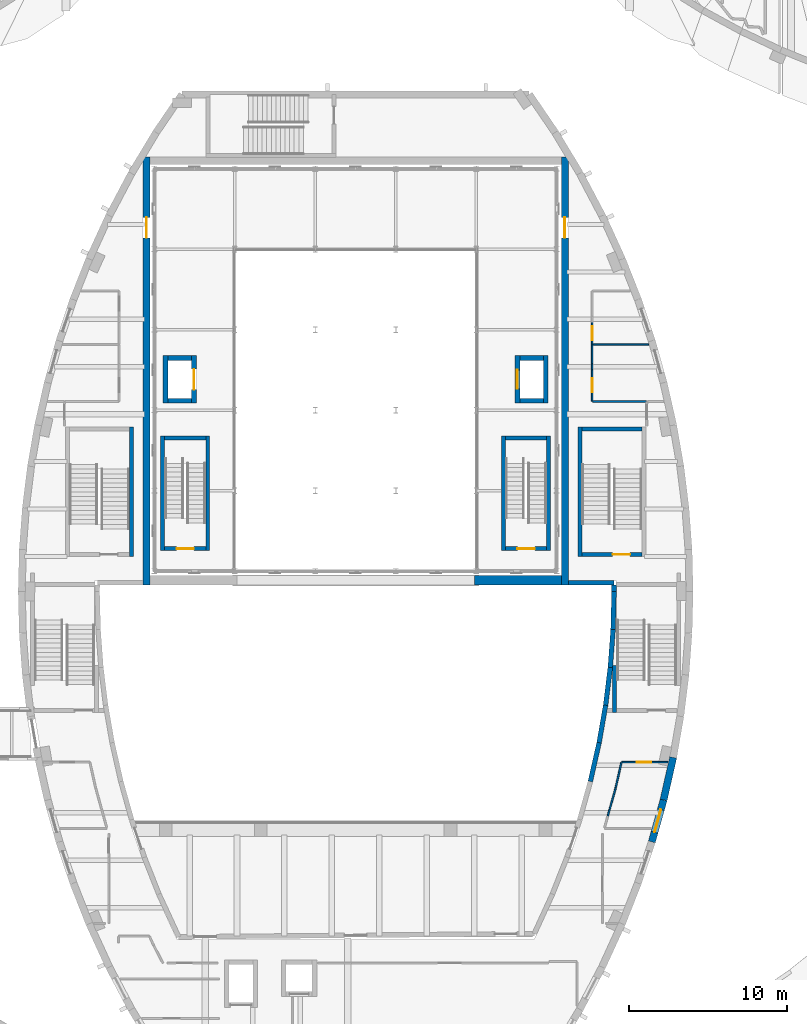
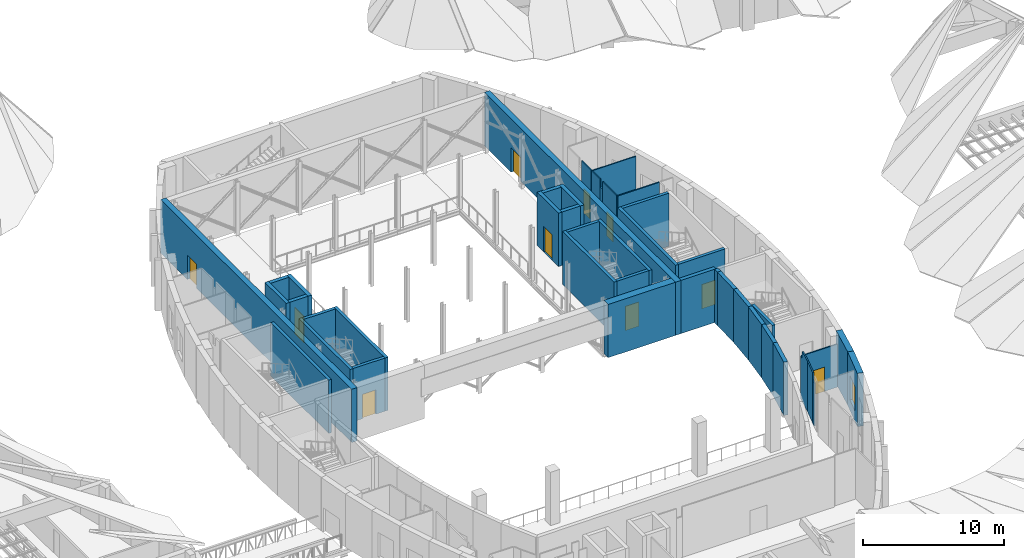
# One storey, part 36 of 56: 43 walls, 10 doors, 1 window, 11 openings.
"""IFC4 building model written with IfcOpenShell, lengths in metres."""

from ifc_helpers import new_model, si_unit, direction, frame, frame_2d, origin, place, context, subcontext, project, spatial, polyline, rectangle, outline, extrude, material, layer, layer_set, type_object, element, fill, save


model = new_model("IFC4")

# Units and contexts
model_context = context("Model", 3, precision=1e-05, world=origin(), true_north=direction((0.0, 1.0)))
body_context = subcontext(model_context, "Body", "Model", "MODEL_VIEW")
ifc_project = project(units=[si_unit("LENGTHUNIT", "METRE"), si_unit("AREAUNIT", "SQUARE_METRE"), si_unit("VOLUMEUNIT", "CUBIC_METRE"), si_unit("PLANEANGLEUNIT", "RADIAN"), si_unit("MASSUNIT", "GRAM", prefix="KILO")], contexts=[model_context])

# Site, building, storey
site_placement = place(None, origin())
site = spatial("IfcSite", under=ifc_project, at=site_placement, CompositionType="ELEMENT")
building_placement = place(site_placement, origin())
building = spatial("IfcBuilding", under=site, at=building_placement, Name="Tide Square Theatres", CompositionType="ELEMENT")
storey_placement = place(building_placement, frame((0.0, 0.0, 10.199951171875)))
storey = spatial("IfcBuildingStorey", under=building, at=storey_placement, Name="L02", CompositionType="ELEMENT", Elevation=10.199951171875)

# Wall, opening, door
ifc_material_1 = material(Name="Gypsum board on steel studs", Category="steel")
ifc_layer_1 = layer(ifc_material_1, 0.10009765625)
ifc_layer_set_1 = layer_set([ifc_layer_1], Name="Gypsum board on steel studs")
wall_type_1 = type_object("IfcWallType", Name="Partition 100 thick", PredefinedType="PARTITIONING", material=ifc_layer_set_1)
wall_1_placement = place(storey_placement, frame((98.949951171875, 67.023193359375, 0.0), z_axis=(0.0, 0.0, 1.0), x_axis=(0.0, 1.0, 0.0)))
wall_1 = element("IfcWall", 1, at=wall_1_placement, inside=storey, type_object=wall_type_1, Name="Partition", PredefinedType="PARTITIONING", context=body_context, shape_type="SweptSolid", body=[
    extrude(rectangle(XDim=1.996826171875, YDim=0.10009765625, at=frame_2d((0.99853515625, 0.0))), origin(), (0.0, 0.0, 1.0), 4.35009765625),
])
opening_1_placement = place(wall_1_placement, frame((0.548583984375, 0.0, 0.0)))
opening_1 = element("IfcOpeningElement", 2, at=opening_1_placement, cuts=wall_1, Name="Opening M02-15", PredefinedType="OPENING", context=body_context, shape_type="SweptSolid", body=[
    extrude(rectangle(XDim=0.89990234375, YDim=2.10009765625, at=frame_2d((0.449951171875, 1.050048828125))), frame((0.0, 0.06005859375, 0.0), z_axis=(0.0, -1.0, 0.0), x_axis=(1.0, 0.0, 0.0)), (0.0, 0.0, 1.0), 0.1201171875),
])
ifc_material_2 = material(Name="Hardwood timber", Category="wood")
door_type_1 = type_object("IfcDoorType", Name="Door 900 x 2100 single leaf", OperationType="NOTDEFINED", PredefinedType="DOOR", material=ifc_material_2)
door_1_placement = place(opening_1_placement, frame((0.89990234375, 0.0, 0.0), z_axis=(0.0, 0.0, 1.0), x_axis=(-1.0, 0.0, 0.0)))
door_1 = element("IfcDoor", 3, at=door_1_placement, inside=storey, type_object=door_type_1, Name="Sound Control Room door", OperationType="SINGLE_SWING_LEFT", OverallHeight=2.10009765625, OverallWidth=0.89990234375, PredefinedType="DOOR", context=body_context, shape_type="SweptSolid", body=[
    extrude(rectangle(XDim=0.89990234375, YDim=2.10009765625, at=frame_2d((0.449951171875, 1.050048828125))), frame((0.0, 0.02490234375, 0.0), z_axis=(0.0, -1.0, 0.0), x_axis=(1.0, 0.0, 0.0)), (0.0, 0.0, 1.0), 0.050048828125),
])
fill(opening_1, door_1)

# Walls
wall_2_placement = place(storey_placement, frame((98.949951171875, 69.02001953125, 0.0), z_axis=(0.0, 0.0, 1.0), x_axis=(0.0, 1.0, 0.0)))
element("IfcWall", 4, at=wall_2_placement, inside=storey, type_object=wall_type_1, Name="Partition", PredefinedType="PARTITIONING", context=body_context, shape_type="SweptSolid", body=[
    extrude(rectangle(XDim=0.35986328125, YDim=0.10009765625, at=frame_2d((0.179931640625, 0.0))), origin(), (0.0, 0.0, 1.0), 3.719970703125),
])
wall_3_placement = place(storey_placement, frame((98.949951171875, 69.3798828125, 0.0), z_axis=(0.0, 0.0, 1.0), x_axis=(0.0, 1.0, 0.0)))
element("IfcWall", 5, at=wall_3_placement, inside=storey, type_object=wall_type_1, Name="Partition", PredefinedType="PARTITIONING", context=body_context, shape_type="SweptSolid", body=[
    extrude(rectangle(XDim=1.197021484375, YDim=0.10009765625, at=frame_2d((0.5986328125, 0.0))), origin(), (0.0, 0.0, 1.0), 4.35009765625),
])

# Wall, opening, door
wall_4_placement = place(storey_placement, frame((98.949951171875, 70.623046875, 0.0), z_axis=(0.0, 0.0, 1.0), x_axis=(0.0, 1.0, 0.0)))
wall_4 = element("IfcWall", 6, at=wall_4_placement, inside=storey, type_object=wall_type_1, Name="Partition", PredefinedType="PARTITIONING", context=body_context, shape_type="SweptSolid", body=[
    extrude(rectangle(XDim=1.39697265625, YDim=0.10009765625, at=frame_2d((0.698486328125, 0.0))), origin(), (0.0, 0.0, 1.0), 4.35009765625),
])
opening_2_placement = place(wall_4_placement, frame((0.24853515625, 0.0, 0.0)))
opening_2 = element("IfcOpeningElement", 7, at=opening_2_placement, cuts=wall_4, Name="Opening M02-17", PredefinedType="OPENING", context=body_context, shape_type="SweptSolid", body=[
    extrude(rectangle(XDim=0.89990234375, YDim=2.10009765625, at=frame_2d((0.449951171875, 1.050048828125))), frame((0.0, 0.06005859375, 0.0), z_axis=(0.0, -1.0, 0.0), x_axis=(1.0, 0.0, 0.0)), (0.0, 0.0, 1.0), 0.1201171875),
])
door_2_placement = place(opening_2_placement, frame((0.89990234375, 0.0, 0.0), z_axis=(0.0, 0.0, 1.0), x_axis=(-1.0, 0.0, 0.0)))
door_2 = element("IfcDoor", 8, at=door_2_placement, inside=storey, type_object=door_type_1, Name="Lighting Control Room door", OperationType="SINGLE_SWING_RIGHT", OverallHeight=2.10009765625, OverallWidth=0.89990234375, PredefinedType="DOOR", context=body_context, shape_type="SweptSolid", body=[
    extrude(rectangle(XDim=0.89990234375, YDim=2.10009765625, at=frame_2d((0.449951171875, 1.050048828125))), frame((0.0, 0.02490234375, 0.0), z_axis=(0.0, -1.0, 0.0), x_axis=(1.0, 0.0, 0.0)), (0.0, 0.0, 1.0), 0.050048828125),
])
fill(opening_2, door_2)

# Walls
wall_5_placement = place(storey_placement, frame((98.97998046875, 70.60009765625, 0.0), z_axis=(0.0, 0.0, 1.0), x_axis=(1.0, 0.0, 0.0)))
element("IfcWall", 9, at=wall_5_placement, inside=storey, type_object=wall_type_1, Name="Partition", PredefinedType="PARTITIONING", context=body_context, shape_type="SweptSolid", body=[
    extrude(rectangle(XDim=3.537841796875, YDim=0.10009765625, at=frame_2d((1.76904296875, 0.0))), origin(), (0.0, 0.0, 1.0), 4.35009765625),
])
wall_6_placement = place(storey_placement, frame((102.360107421875, 67.0, 0.0), z_axis=(0.0, 0.0, 1.0), x_axis=(-1.0, 0.0, 0.0)))
element("IfcWall", 10, at=wall_6_placement, inside=storey, type_object=wall_type_1, Name="Partition", PredefinedType="PARTITIONING", context=body_context, shape_type="SweptSolid", body=[
    extrude(rectangle(XDim=3.376953125, YDim=0.10009765625, at=frame_2d((1.6884765625, 0.0))), origin(), (0.0, 0.0, 1.0), 4.35009765625),
])
wall_7_placement = place(storey_placement, frame((99.940185546875, 40.80615234375, 0.0), z_axis=(0.0, 0.0, 1.0), x_axis=(0.26983234105, 0.962907320423, 0.0)))
element("IfcWall", 11, at=wall_7_placement, inside=storey, type_object=wall_type_1, Name="Partition", PredefinedType="PARTITIONING", context=body_context, shape_type="SweptSolid", body=[
    extrude(rectangle(XDim=0.402587890625, YDim=0.10009765625, at=frame_2d((0.201171875, 0.0))), origin(), (0.0, 0.0, 1.0), 3.719970703125),
])
wall_8_placement = place(storey_placement, frame((100.048828125, 41.19384765625, 0.0), z_axis=(0.0, 0.0, 1.0), x_axis=(0.269963692325, 0.962870502626, 0.0)))
element("IfcWall", 12, at=wall_8_placement, inside=storey, type_object=wall_type_1, Name="Partition", PredefinedType="PARTITIONING", context=body_context, shape_type="SweptSolid", body=[
    extrude(rectangle(XDim=1.43798828125, YDim=0.10009765625, at=frame_2d((0.718994140625, 0.0))), origin(), (0.0, 0.0, 1.0), 4.35009765625),
])
wall_9_placement = place(storey_placement, frame((100.43994140625, 42.590576171875, 0.0), z_axis=(0.0, 0.0, 1.0), x_axis=(0.220357953529, 0.975419075227, 0.0)))
element("IfcWall", 13, at=wall_9_placement, inside=storey, type_object=wall_type_1, Name="Partition", PredefinedType="PARTITIONING", context=body_context, shape_type="SweptSolid", body=[
    extrude(outline(polyline([(0.0, 0.0), (1.620849609375, 0.0), (1.631103515625, 4.35009765625), (1.631103515625, 3.719970703125), (1.2490234375, 3.719970703125), (1.2470703125, 4.35009765625), (0.0, 4.35009765625), (0.0, 0.0)])), frame((0.0, 0.050048828125, 0.0), z_axis=(0.0, -1.0, 0.0), x_axis=(1.0, 0.0, 0.0)), (0.0, 0.0, 1.0), 0.10009765625),
])

# Wall, opening, door
wall_10_placement = place(storey_placement, frame((100.822509765625, 44.199951171875, 0.0), z_axis=(0.0, 0.0, 1.0), x_axis=(1.0, 0.0, 0.0)))
wall_10 = element("IfcWall", 14, at=wall_10_placement, inside=storey, type_object=wall_type_1, Name="Partition", PredefinedType="PARTITIONING", context=body_context, shape_type="SweptSolid", body=[
    extrude(rectangle(XDim=2.9140625, YDim=0.10009765625, at=frame_2d((1.45703125, 0.0))), origin(), (0.0, 0.0, 1.0), 3.719970703125),
])
opening_3_placement = place(wall_10_placement, frame((0.95703125, 0.0, 0.0)))
opening_3 = element("IfcOpeningElement", 15, at=opening_3_placement, cuts=wall_10, Name="Opening M02-13", PredefinedType="OPENING", context=body_context, shape_type="SweptSolid", body=[
    extrude(rectangle(XDim=0.89990234375, YDim=2.10009765625, at=frame_2d((0.449951171875, 1.050048828125))), frame((0.0, 0.06005859375, 0.0), z_axis=(0.0, -1.0, 0.0), x_axis=(1.0, 0.0, 0.0)), (0.0, 0.0, 1.0), 0.1201171875),
])
door_3_placement = place(opening_3_placement, frame((0.89990234375, 0.0, 0.0), z_axis=(0.0, 0.0, 1.0), x_axis=(-1.0, 0.0, 0.0)))
door_3 = element("IfcDoor", 16, at=door_3_placement, inside=storey, type_object=door_type_1, Name="Chorus Dressing Room 04 door", OperationType="SINGLE_SWING_LEFT", OverallHeight=2.10009765625, OverallWidth=0.89990234375, PredefinedType="DOOR", context=body_context, shape_type="SweptSolid", body=[
    extrude(rectangle(XDim=0.89990234375, YDim=2.10009765625, at=frame_2d((0.449951171875, 1.050048828125))), frame((0.0, 0.02490234375, 0.0), z_axis=(0.0, -1.0, 0.0), x_axis=(1.0, 0.0, 0.0)), (0.0, 0.0, 1.0), 0.050048828125),
])
fill(opening_3, door_3)

# Wall, opening, window
ifc_material_3 = material(Name="Concrete C40", Category="concrete")
ifc_layer_2 = layer(ifc_material_3, 0.449951171875)
ifc_layer_set_2 = layer_set([ifc_layer_2], Name="Concrete C40")
wall_type_2 = type_object("IfcWallType", Name="RC curved wall 450 thick", PredefinedType="SOLIDWALL", material=ifc_layer_set_2)
wall_11_placement = place(storey_placement, frame((102.724609375, 39.161865234375, 0.0), z_axis=(0.0, 0.0, 1.0), x_axis=(0.270008269196, 0.962858003324, 0.0)))
wall_11 = element("IfcWall", 17, at=wall_11_placement, inside=storey, type_object=wall_type_2, Name="Main Theatre perimeter wall", PredefinedType="SOLIDWALL", context=body_context, shape_type="SweptSolid", body=[
    extrude(rectangle(XDim=2.75244140625, YDim=0.449951171875, at=frame_2d((1.376220703125, 0.0))), origin(), (0.0, 0.0, 1.0), 4.60009765625),
])
opening_4_placement = place(wall_11_placement, frame((0.626220703125, 0.0, 0.89990234375)))
opening_4 = element("IfcOpeningElement", 18, at=opening_4_placement, cuts=wall_11, Name="Opening WN-01", PredefinedType="OPENING", context=body_context, shape_type="SweptSolid", body=[
    extrude(rectangle(XDim=1.5, YDim=2.10009765625, at=frame_2d((0.75, 1.050048828125))), frame((0.0, 0.23486328125, 0.0), z_axis=(0.0, -1.0, 0.0), x_axis=(1.0, 0.0, 0.0)), (0.0, 0.0, 1.0), 0.469970703125),
])
ifc_material_4 = material(Name="Aluminium with laminated glass", Category="aluminium")
window_type = type_object("IfcWindowType", Name="Window 1500 x 2100", PartitioningType="SINGLE_PANEL", PredefinedType="WINDOW", material=ifc_material_4)
window_placement = place(opening_4_placement, origin())
window = element("IfcWindow", 19, at=window_placement, inside=storey, type_object=window_type, Name="Main Theatre window", OverallHeight=2.10009765625, OverallWidth=1.5, PartitioningType="SINGLE_PANEL", PredefinedType="WINDOW", context=body_context, shape_type="SweptSolid", body=[
    extrude(rectangle(XDim=1.5, YDim=2.10009765625, at=frame_2d((0.75, 1.050048828125))), frame((0.0, 0.030029296875, 0.0), z_axis=(0.0, -1.0, 0.0), x_axis=(1.0, 0.0, 0.0)), (0.0, 0.0, 1.0), 0.06005859375),
])
fill(opening_4, window)

# Wall
wall_12_placement = place(storey_placement, frame((103.4677734375, 41.81201171875, 0.0), z_axis=(0.0, 0.0, 1.0), x_axis=(0.220347996563, 0.975421324562, 0.0)))
element("IfcWall", 20, at=wall_12_placement, inside=storey, type_object=wall_type_2, Name="Main Theatre perimeter wall", PredefinedType="SOLIDWALL", context=body_context, shape_type="SweptSolid", body=[
    extrude(rectangle(XDim=2.752197265625, YDim=0.449951171875, at=frame_2d((1.3759765625, 0.0))), origin(), (0.0, 0.0, 1.0), 4.60009765625),
])

# Wall, opening, door
wall_13_placement = place(storey_placement, frame((70.77490234375, 55.39990234375, 0.0), z_axis=(0.0, 0.0, 1.0), x_axis=(0.0, 1.0, 0.0)))
wall_13 = element("IfcWall", 21, at=wall_13_placement, inside=storey, type_object=wall_type_2, Name="Stage house wall", PredefinedType="SOLIDWALL", context=body_context, shape_type="SweptSolid", body=[
    extrude(rectangle(XDim=27.050048828125, YDim=0.449951171875, at=frame_2d((13.52490234375, 0.0))), origin(), (0.0, 0.0, 1.0), 4.60009765625),
])
opening_5_placement = place(wall_13_placement, frame((21.949951171875, 0.0, 0.0)))
opening_5 = element("IfcOpeningElement", 22, at=opening_5_placement, cuts=wall_13, Name="Opening M02-25", PredefinedType="OPENING", context=body_context, shape_type="SweptSolid", body=[
    extrude(rectangle(XDim=1.300048828125, YDim=2.10009765625, at=frame_2d((0.64990234375, 1.050048828125))), frame((0.0, 0.23486328125, 0.0), z_axis=(0.0, -1.0, 0.0), x_axis=(1.0, 0.0, 0.0)), (0.0, 0.0, 1.0), 0.469970703125),
])
ifc_material_5 = material(Name="Hardwood timber", Category="wood")
door_type_2 = type_object("IfcDoorType", Name="Door 1300 x 2100 double leaf", OperationType="DOUBLE_DOOR_SINGLE_SWING", PredefinedType="DOOR", material=ifc_material_5)
door_4_placement = place(opening_5_placement, origin())
door_4 = element("IfcDoor", 23, at=door_4_placement, inside=storey, type_object=door_type_2, Name="Stage house side door", OperationType="DOUBLE_DOOR_SINGLE_SWING", OverallHeight=2.10009765625, OverallWidth=1.300048828125, PredefinedType="DOOR", context=body_context, shape_type="SweptSolid", body=[
    extrude(rectangle(XDim=1.300048828125, YDim=2.10009765625, at=frame_2d((0.64990234375, 1.050048828125))), frame((0.0, 0.02490234375, 0.0), z_axis=(0.0, -1.0, 0.0), x_axis=(1.0, 0.0, 0.0)), (0.0, 0.0, 1.0), 0.050048828125),
])
fill(opening_5, door_4)

wall_14_placement = place(storey_placement, frame((97.22509765625, 55.39990234375, 0.0), z_axis=(0.0, 0.0, 1.0), x_axis=(0.0, 1.0, 0.0)))
wall_14 = element("IfcWall", 24, at=wall_14_placement, inside=storey, type_object=wall_type_2, Name="Stage house wall", PredefinedType="SOLIDWALL", context=body_context, shape_type="SweptSolid", body=[
    extrude(rectangle(XDim=27.050048828125, YDim=0.449951171875, at=frame_2d((13.52490234375, 0.0))), origin(), (0.0, 0.0, 1.0), 4.60009765625),
])
opening_6_placement = place(wall_14_placement, frame((21.949951171875, 0.0, 0.0)))
opening_6 = element("IfcOpeningElement", 25, at=opening_6_placement, cuts=wall_14, Name="Opening M02-26", PredefinedType="OPENING", context=body_context, shape_type="SweptSolid", body=[
    extrude(rectangle(XDim=1.300048828125, YDim=2.10009765625, at=frame_2d((0.64990234375, 1.050048828125))), frame((0.0, 0.23486328125, 0.0), z_axis=(0.0, -1.0, 0.0), x_axis=(1.0, 0.0, 0.0)), (0.0, 0.0, 1.0), 0.469970703125),
])
door_5_placement = place(opening_6_placement, origin())
door_5 = element("IfcDoor", 26, at=door_5_placement, inside=storey, type_object=door_type_2, Name="Stage house side door", OperationType="DOUBLE_DOOR_SINGLE_SWING", OverallHeight=2.10009765625, OverallWidth=1.300048828125, PredefinedType="DOOR", context=body_context, shape_type="SweptSolid", body=[
    extrude(rectangle(XDim=1.300048828125, YDim=2.10009765625, at=frame_2d((0.64990234375, 1.050048828125))), frame((0.0, 0.02490234375, 0.0), z_axis=(0.0, -1.0, 0.0), x_axis=(1.0, 0.0, 0.0)), (0.0, 0.0, 1.0), 0.050048828125),
])
fill(opening_6, door_5)

# Walls
ifc_material_6 = material(Name="Concrete C40", Category="concrete")
ifc_layer_3 = layer(ifc_material_6, 0.25)
ifc_layer_set_3 = layer_set([ifc_layer_3], Name="Concrete C40")
wall_type_3 = type_object("IfcWallType", Name="RC shear wall 250 thick", PredefinedType="SHEAR", material=ifc_layer_set_3)
for number, where, z_axis, x_axis, name in (
    (27, (69.824951171875, 57.199951171875, 0.0), (0.0, 0.0, 1.0), (0.0, 1.0, 0.0), "Main Theatre West Stair shaft wall"),
    (28, (98.175048828125, 65.39990234375, 0.0), (0.0, 0.0, 1.0), (0.0, -1.0, 0.0), "Main Theatre East Stair shaft wall"),
):
    element("IfcWall", number, at=place(storey_placement, frame(where, z_axis=z_axis, x_axis=x_axis)), inside=storey, type_object=wall_type_3, Name=name, PredefinedType="SHEAR", context=body_context, shape_type="SweptSolid", body=[
        extrude(rectangle(XDim=8.199951171875, YDim=0.25, at=frame_2d((4.10009765625, 0.0))), origin(), (0.0, 0.0, 1.0), 4.60009765625),
    ])
wall_15_placement = place(storey_placement, frame((98.300048828125, 65.27490234375, 0.0), z_axis=(0.0, 0.0, 1.0), x_axis=(1.0, 0.0, 0.0)))
element("IfcWall", 29, at=wall_15_placement, inside=storey, type_object=wall_type_3, Name="Main Theatre East Stair shaft wall", PredefinedType="SHEAR", context=body_context, shape_type="SweptSolid", body=[
    extrude(rectangle(XDim=3.800048828125, YDim=0.25, at=frame_2d((1.89990234375, 0.0))), origin(), (0.0, 0.0, 1.0), 4.60009765625),
])

# Wall, opening, door
wall_16_placement = place(storey_placement, frame((102.10009765625, 57.324951171875, 0.0), z_axis=(0.0, 0.0, 1.0), x_axis=(-1.0, 0.0, 0.0)))
wall_16 = element("IfcWall", 30, at=wall_16_placement, inside=storey, type_object=wall_type_3, Name="Main Theatre East Stair shaft wall", PredefinedType="SHEAR", context=body_context, shape_type="SweptSolid", body=[
    extrude(rectangle(XDim=3.800048828125, YDim=0.25, at=frame_2d((1.89990234375, 0.0))), origin(), (0.0, 0.0, 1.0), 4.60009765625),
])
opening_7_placement = place(wall_16_placement, frame((0.75, 0.0, 0.0)))
opening_7 = element("IfcOpeningElement", 31, at=opening_7_placement, cuts=wall_16, Name="Opening M02-02", PredefinedType="OPENING", context=body_context, shape_type="SweptSolid", body=[
    extrude(rectangle(XDim=1.10009765625, YDim=2.10009765625, at=frame_2d((0.550048828125, 1.050048828125))), frame((0.0, 0.135009765625, 0.0), z_axis=(0.0, -1.0, 0.0), x_axis=(1.0, 0.0, 0.0)), (0.0, 0.0, 1.0), 0.27001953125),
])
ifc_material_7 = material(Name="Painted steel", Category="steel")
door_type_3 = type_object("IfcDoorType", Name="Door 1100 x 2100 single leaf", OperationType="NOTDEFINED", PredefinedType="DOOR", material=ifc_material_7)
door_6_placement = place(opening_7_placement, origin())
door_6 = element("IfcDoor", 32, at=door_6_placement, inside=storey, type_object=door_type_3, Name="Main Theatre East Stair stair door", OperationType="SINGLE_SWING_RIGHT", OverallHeight=2.10009765625, OverallWidth=1.10009765625, PredefinedType="DOOR", context=body_context, shape_type="SweptSolid", body=[
    extrude(rectangle(XDim=1.10009765625, YDim=2.10009765625, at=frame_2d((0.550048828125, 1.050048828125))), frame((0.0, 0.02490234375, 0.0), z_axis=(0.0, -1.0, 0.0), x_axis=(1.0, 0.0, 0.0)), (0.0, 0.0, 1.0), 0.050048828125),
])
fill(opening_7, door_6)

# Walls
wall_17_placement = place(storey_placement, frame((100.375, 50.318115234375, 0.0), z_axis=(0.0, 0.0, 1.0), x_axis=(0.0, -1.0, 0.0)))
element("IfcWall", 33, at=wall_17_placement, inside=storey, type_object=wall_type_3, Name="Main Theatre East Circle Stair shaft wall", PredefinedType="SHEAR", context=body_context, shape_type="SweptSolid", body=[
    extrude(rectangle(XDim=2.968017578125, YDim=0.25, at=frame_2d((1.48388671875, 0.0))), origin(), (0.0, 0.0, 1.0), 4.60009765625),
])
for number, where, z_axis, x_axis, name in (
    (34, (74.65087890625, 57.575927734375, 0.0), (0.0, 0.0, 1.0), (0.0, 1.0, 0.0), "Fly Tower west stair shaft wall"),
    (35, (71.801025390625, 64.825927734375, 0.0), (0.0, 0.0, 1.0), (0.0, -1.0, 0.0), "Fly Tower west stair shaft wall"),
):
    element("IfcWall", number, at=place(storey_placement, frame(where, z_axis=z_axis, x_axis=x_axis)), inside=storey, type_object=wall_type_3, Name=name, PredefinedType="SHEAR", context=body_context, shape_type="SweptSolid", body=[
        extrude(rectangle(XDim=7.25, YDim=0.25, at=frame_2d((3.625, 0.0))), origin(), (0.0, 0.0, 1.0), 4.60009765625),
    ])
wall_18_placement = place(storey_placement, frame((71.926025390625, 64.700927734375, 0.0), z_axis=(0.0, 0.0, 1.0), x_axis=(1.0, 0.0, 0.0)))
element("IfcWall", 36, at=wall_18_placement, inside=storey, type_object=wall_type_3, Name="Fly Tower west stair shaft wall", PredefinedType="SHEAR", context=body_context, shape_type="SweptSolid", body=[
    extrude(rectangle(XDim=2.599853515625, YDim=0.25, at=frame_2d((1.2998046875, 0.0))), origin(), (0.0, 0.0, 1.0), 4.60009765625),
])

# Wall, opening, door
wall_19_placement = place(storey_placement, frame((74.52587890625, 57.700927734375, 0.0), z_axis=(0.0, 0.0, 1.0), x_axis=(-1.0, 0.0, 0.0)))
wall_19 = element("IfcWall", 37, at=wall_19_placement, inside=storey, type_object=wall_type_3, Name="Fly Tower west stair shaft wall", PredefinedType="SHEAR", context=body_context, shape_type="SweptSolid", body=[
    extrude(rectangle(XDim=2.599853515625, YDim=0.25, at=frame_2d((1.2998046875, 0.0))), origin(), (0.0, 0.0, 1.0), 4.60009765625),
])
opening_8_placement = place(wall_19_placement, frame((0.75, 0.0, 0.0)))
opening_8 = element("IfcOpeningElement", 38, at=opening_8_placement, cuts=wall_19, Name="Opening T02-01", PredefinedType="OPENING", context=body_context, shape_type="SweptSolid", body=[
    extrude(rectangle(XDim=1.10009765625, YDim=2.10009765625, at=frame_2d((0.550048828125, 1.050048828125))), frame((0.0, 0.135009765625, 0.0), z_axis=(0.0, -1.0, 0.0), x_axis=(1.0, 0.0, 0.0)), (0.0, 0.0, 1.0), 0.27001953125),
])
door_7_placement = place(opening_8_placement, origin())
door_7 = element("IfcDoor", 39, at=door_7_placement, inside=storey, type_object=door_type_3, Name="Fly Tower west stair stair door", OperationType="SINGLE_SWING_RIGHT", OverallHeight=2.10009765625, OverallWidth=1.10009765625, PredefinedType="DOOR", context=body_context, shape_type="SweptSolid", body=[
    extrude(rectangle(XDim=1.10009765625, YDim=2.10009765625, at=frame_2d((0.550048828125, 1.050048828125))), frame((0.0, 0.02490234375, 0.0), z_axis=(0.0, -1.0, 0.0), x_axis=(1.0, 0.0, 0.0)), (0.0, 0.0, 1.0), 0.050048828125),
])
fill(opening_8, door_7)

# Walls
for number, where, z_axis, x_axis, name in (
    (40, (96.198974609375, 57.575927734375, 0.0), (0.0, 0.0, 1.0), (0.0, 1.0, 0.0), "Fly Tower east stair shaft wall"),
    (41, (93.34912109375, 64.825927734375, 0.0), (0.0, 0.0, 1.0), (0.0, -1.0, 0.0), "Fly Tower east stair shaft wall"),
):
    element("IfcWall", number, at=place(storey_placement, frame(where, z_axis=z_axis, x_axis=x_axis)), inside=storey, type_object=wall_type_3, Name=name, PredefinedType="SHEAR", context=body_context, shape_type="SweptSolid", body=[
        extrude(rectangle(XDim=7.25, YDim=0.25, at=frame_2d((3.625, 0.0))), origin(), (0.0, 0.0, 1.0), 4.60009765625),
    ])
wall_20_placement = place(storey_placement, frame((93.47412109375, 64.700927734375, 0.0), z_axis=(0.0, 0.0, 1.0), x_axis=(1.0, 0.0, 0.0)))
element("IfcWall", 42, at=wall_20_placement, inside=storey, type_object=wall_type_3, Name="Fly Tower east stair shaft wall", PredefinedType="SHEAR", context=body_context, shape_type="SweptSolid", body=[
    extrude(rectangle(XDim=2.599853515625, YDim=0.25, at=frame_2d((1.2998046875, 0.0))), origin(), (0.0, 0.0, 1.0), 4.60009765625),
])

# Wall, opening, door
wall_21_placement = place(storey_placement, frame((96.073974609375, 57.700927734375, 0.0), z_axis=(0.0, 0.0, 1.0), x_axis=(-1.0, 0.0, 0.0)))
wall_21 = element("IfcWall", 43, at=wall_21_placement, inside=storey, type_object=wall_type_3, Name="Fly Tower east stair shaft wall", PredefinedType="SHEAR", context=body_context, shape_type="SweptSolid", body=[
    extrude(rectangle(XDim=2.599853515625, YDim=0.25, at=frame_2d((1.2998046875, 0.0))), origin(), (0.0, 0.0, 1.0), 4.60009765625),
])
opening_9_placement = place(wall_21_placement, frame((0.75, 0.0, 0.0)))
opening_9 = element("IfcOpeningElement", 44, at=opening_9_placement, cuts=wall_21, Name="Opening T02-02", PredefinedType="OPENING", context=body_context, shape_type="SweptSolid", body=[
    extrude(rectangle(XDim=1.10009765625, YDim=2.10009765625, at=frame_2d((0.550048828125, 1.050048828125))), frame((0.0, 0.135009765625, 0.0), z_axis=(0.0, -1.0, 0.0), x_axis=(1.0, 0.0, 0.0)), (0.0, 0.0, 1.0), 0.27001953125),
])
door_8_placement = place(opening_9_placement, origin())
door_8 = element("IfcDoor", 45, at=door_8_placement, inside=storey, type_object=door_type_3, Name="Fly Tower east stair stair door", OperationType="SINGLE_SWING_RIGHT", OverallHeight=2.10009765625, OverallWidth=1.10009765625, PredefinedType="DOOR", context=body_context, shape_type="SweptSolid", body=[
    extrude(rectangle(XDim=1.10009765625, YDim=2.10009765625, at=frame_2d((0.550048828125, 1.050048828125))), frame((0.0, 0.02490234375, 0.0), z_axis=(0.0, -1.0, 0.0), x_axis=(1.0, 0.0, 0.0)), (0.0, 0.0, 1.0), 0.050048828125),
])
fill(opening_9, door_8)

# Walls
ifc_material_8 = material(Name="Concrete C40", Category="concrete")
ifc_layer_4 = layer(ifc_material_8, 0.300048828125)
ifc_layer_set_4 = layer_set([ifc_layer_4], Name="Concrete C40")
wall_type_4 = type_object("IfcWallType", Name="RC shear wall 300 thick", PredefinedType="SHEAR", material=ifc_layer_set_4)
wall_22_placement = place(storey_placement, frame((98.8369140625, 42.9833984375, 0.0), z_axis=(0.0, 0.0, 1.0), x_axis=(0.220389232345, 0.975412008469, 0.0)))
element("IfcWall", 46, at=wall_22_placement, inside=storey, type_object=wall_type_4, Name="Main Theatre auditorium wall", PredefinedType="SHEAR", context=body_context, shape_type="SweptSolid", body=[
    extrude(rectangle(XDim=2.51025390625, YDim=0.300048828125, at=frame_2d((1.255126953125, 0.0))), origin(), (0.0, 0.0, 1.0), 4.60009765625),
])
wall_23_placement = place(storey_placement, frame((99.39013671875, 45.431884765625, 0.0), z_axis=(0.0, 0.0, 1.0), x_axis=(0.171225522804, 0.985231861209, 0.0)))
element("IfcWall", 47, at=wall_23_placement, inside=storey, type_object=wall_type_4, Name="Main Theatre auditorium wall", PredefinedType="SHEAR", context=body_context, shape_type="SweptSolid", body=[
    extrude(rectangle(XDim=2.405517578125, YDim=0.300048828125, at=frame_2d((1.20263671875, 0.0))), origin(), (0.0, 0.0, 1.0), 4.60009765625),
])
wall_24_placement = place(storey_placement, frame((99.802001953125, 47.8017578125, 0.0), z_axis=(0.0, 0.0, 1.0), x_axis=(0.122487115362, 0.992470103615, 0.0)))
element("IfcWall", 48, at=wall_24_placement, inside=storey, type_object=wall_type_4, Name="Main Theatre auditorium wall", PredefinedType="SHEAR", context=body_context, shape_type="SweptSolid", body=[
    extrude(rectangle(XDim=2.40771484375, YDim=0.300048828125, at=frame_2d((1.203857421875, 0.0))), origin(), (0.0, 0.0, 1.0), 4.60009765625),
])
for number, where, z_axis, x_axis, name in (
    (49, (100.096923828125, 50.19140625, 0.0), (0.0, 0.0, 1.0), (0.073711091533, 0.997279637306, 0.0), "Main Theatre auditorium wall"),
    (50, (100.2744140625, 52.5927734375, 0.0), (0.0, 0.0, 1.0), (0.024536221488, 0.999698941599, 0.0), "Main Theatre auditorium wall"),
):
    element("IfcWall", number, at=place(storey_placement, frame(where, z_axis=z_axis, x_axis=x_axis)), inside=storey, type_object=wall_type_4, Name=name, PredefinedType="SHEAR", context=body_context, shape_type="SweptSolid", body=[
        extrude(rectangle(XDim=2.407958984375, YDim=0.300048828125, at=frame_2d((1.2041015625, 0.0))), origin(), (0.0, 0.0, 1.0), 4.60009765625),
    ])
wall_25_placement = place(storey_placement, frame((100.33349609375, 55.0, 0.0), z_axis=(0.0, 0.0, 1.0), x_axis=(-0.024412746386, 0.999701964494, 0.0)))
element("IfcWall", 51, at=wall_25_placement, inside=storey, type_object=wall_type_4, Name="Main Theatre auditorium wall", PredefinedType="SHEAR", context=body_context, shape_type="SweptSolid", body=[
    extrude(rectangle(XDim=0.39990234375, YDim=0.300048828125, at=frame_2d((0.199951171875, 0.0))), origin(), (0.0, 0.0, 1.0), 4.60009765625),
])
wall_26_placement = place(storey_placement, frame((100.32373046875, 55.550048828125, 0.0), z_axis=(0.0, 0.0, 1.0), x_axis=(-1.0, 0.0, 0.0)))
element("IfcWall", 52, at=wall_26_placement, inside=storey, type_object=wall_type_4, Name="Main Theatre auditorium wall", PredefinedType="SHEAR", context=body_context, shape_type="SweptSolid", body=[
    extrude(rectangle(XDim=2.873779296875, YDim=0.300048828125, at=frame_2d((1.43701171875, 0.0))), origin(), (0.0, 0.0, 1.0), 4.60009765625),
])
for number, where, z_axis, x_axis, name in (
    (53, (72.1259765625, 67.050048828125, 0.0), (0.0, 0.0, 1.0), (1.0, 0.0, 0.0), "Fly Tower lift 11 shaft wall"),
    (54, (73.6259765625, 69.75, 0.0), (0.0, 0.0, 1.0), (-1.0, 0.0, 0.0), "Fly Tower lift 11 shaft wall"),
):
    element("IfcWall", number, at=place(storey_placement, frame(where, z_axis=z_axis, x_axis=x_axis)), inside=storey, type_object=wall_type_4, Name=name, PredefinedType="SHEAR", context=body_context, shape_type="SweptSolid", body=[
        extrude(rectangle(XDim=1.5, YDim=0.300048828125, at=frame_2d((0.75, 0.0))), origin(), (0.0, 0.0, 1.0), 4.60009765625),
    ])
wall_27_placement = place(storey_placement, frame((71.97607421875, 66.89990234375, 0.0), z_axis=(0.0, 0.0, 1.0), x_axis=(0.0, 1.0, 0.0)))
element("IfcWall", 55, at=wall_27_placement, inside=storey, type_object=wall_type_4, Name="Fly Tower lift 11 shaft wall", PredefinedType="SHEAR", context=body_context, shape_type="SweptSolid", body=[
    extrude(rectangle(XDim=3.0, YDim=0.300048828125, at=frame_2d((1.5, 0.0))), origin(), (0.0, 0.0, 1.0), 4.60009765625),
])

# Wall, opening, door
wall_28_placement = place(storey_placement, frame((73.77587890625, 66.89990234375, 0.0), z_axis=(0.0, 0.0, 1.0), x_axis=(0.0, 1.0, 0.0)))
wall_28 = element("IfcWall", 56, at=wall_28_placement, inside=storey, type_object=wall_type_4, Name="Fly Tower lift 11 shaft wall", PredefinedType="SHEAR", context=body_context, shape_type="SweptSolid", body=[
    extrude(rectangle(XDim=3.0, YDim=0.300048828125, at=frame_2d((1.5, 0.0))), origin(), (0.0, 0.0, 1.0), 4.60009765625),
])
opening_10_placement = place(wall_28_placement, frame((0.85009765625, 0.0, 0.0)))
opening_10 = element("IfcOpeningElement", 57, at=opening_10_placement, cuts=wall_28, Name="Opening LD-T11-2", PredefinedType="OPENING", context=body_context, shape_type="SweptSolid", body=[
    extrude(rectangle(XDim=1.300048828125, YDim=2.300048828125, at=frame_2d((0.64990234375, 1.14990234375))), frame((0.0, 0.159912109375, 0.0), z_axis=(0.0, -1.0, 0.0), x_axis=(1.0, 0.0, 0.0)), (0.0, 0.0, 1.0), 0.320068359375),
])
ifc_material_9 = material(Name="Painted steel", Category="steel")
door_type_4 = type_object("IfcDoorType", Name="Door 1300 x 2300 sliding", OperationType="SLIDING_TO_LEFT", PredefinedType="DOOR", material=ifc_material_9)
door_9_placement = place(opening_10_placement, origin())
door_9 = element("IfcDoor", 58, at=door_9_placement, inside=storey, type_object=door_type_4, Name="Fly Tower Stretcher lift 1000 kg landing door L02", OperationType="SLIDING_TO_LEFT", OverallHeight=2.300048828125, OverallWidth=1.300048828125, PredefinedType="DOOR", context=body_context, shape_type="SweptSolid", body=[
    extrude(rectangle(XDim=1.300048828125, YDim=2.300048828125, at=frame_2d((0.64990234375, 1.14990234375))), frame((0.0, 0.02490234375, 0.0), z_axis=(0.0, -1.0, 0.0), x_axis=(1.0, 0.0, 0.0)), (0.0, 0.0, 1.0), 0.050048828125),
])
fill(opening_10, door_9)

# Walls
for number, where, z_axis, x_axis, name in (
    (59, (94.3740234375, 67.050048828125, 0.0), (0.0, 0.0, 1.0), (1.0, 0.0, 0.0), "Fly Tower lift 12 shaft wall"),
    (60, (95.8740234375, 69.75, 0.0), (0.0, 0.0, 1.0), (-1.0, 0.0, 0.0), "Fly Tower lift 12 shaft wall"),
):
    element("IfcWall", number, at=place(storey_placement, frame(where, z_axis=z_axis, x_axis=x_axis)), inside=storey, type_object=wall_type_4, Name=name, PredefinedType="SHEAR", context=body_context, shape_type="SweptSolid", body=[
        extrude(rectangle(XDim=1.5, YDim=0.300048828125, at=frame_2d((0.75, 0.0))), origin(), (0.0, 0.0, 1.0), 4.60009765625),
    ])

# Wall, opening, door
wall_29_placement = place(storey_placement, frame((94.22412109375, 66.89990234375, 0.0), z_axis=(0.0, 0.0, 1.0), x_axis=(0.0, 1.0, 0.0)))
wall_29 = element("IfcWall", 61, at=wall_29_placement, inside=storey, type_object=wall_type_4, Name="Fly Tower lift 12 shaft wall", PredefinedType="SHEAR", context=body_context, shape_type="SweptSolid", body=[
    extrude(rectangle(XDim=3.0, YDim=0.300048828125, at=frame_2d((1.5, 0.0))), origin(), (0.0, 0.0, 1.0), 4.60009765625),
])
opening_11_placement = place(wall_29_placement, frame((0.89990234375, 0.0, 0.0)))
opening_11 = element("IfcOpeningElement", 62, at=opening_11_placement, cuts=wall_29, Name="Opening LD-T12-2", PredefinedType="OPENING", context=body_context, shape_type="SweptSolid", body=[
    extrude(rectangle(XDim=1.199951171875, YDim=2.199951171875, at=frame_2d((0.60009765625, 1.10009765625))), frame((0.0, 0.159912109375, 0.0), z_axis=(0.0, -1.0, 0.0), x_axis=(1.0, 0.0, 0.0)), (0.0, 0.0, 1.0), 0.320068359375),
])
ifc_material_10 = material(Name="Painted steel", Category="steel")
door_type_5 = type_object("IfcDoorType", Name="Door 1200 x 2200 sliding", OperationType="SLIDING_TO_LEFT", PredefinedType="DOOR", material=ifc_material_10)
door_10_placement = place(opening_11_placement, origin())
door_10 = element("IfcDoor", 63, at=door_10_placement, inside=storey, type_object=door_type_5, Name="Fly Tower Passenger lift 800 kg landing door L02", OperationType="SLIDING_TO_LEFT", OverallHeight=2.199951171875, OverallWidth=1.199951171875, PredefinedType="DOOR", context=body_context, shape_type="SweptSolid", body=[
    extrude(rectangle(XDim=1.199951171875, YDim=2.199951171875, at=frame_2d((0.60009765625, 1.10009765625))), frame((0.0, 0.02490234375, 0.0), z_axis=(0.0, -1.0, 0.0), x_axis=(1.0, 0.0, 0.0)), (0.0, 0.0, 1.0), 0.050048828125),
])
fill(opening_11, door_10)

# Walls
wall_30_placement = place(storey_placement, frame((96.02392578125, 66.89990234375, 0.0), z_axis=(0.0, 0.0, 1.0), x_axis=(0.0, 1.0, 0.0)))
element("IfcWall", 64, at=wall_30_placement, inside=storey, type_object=wall_type_4, Name="Fly Tower lift 12 shaft wall", PredefinedType="SHEAR", context=body_context, shape_type="SweptSolid", body=[
    extrude(rectangle(XDim=3.0, YDim=0.300048828125, at=frame_2d((1.5, 0.0))), origin(), (0.0, 0.0, 1.0), 4.60009765625),
])
ifc_material_11 = material(Name="Concrete C40", Category="concrete")
ifc_layer_5 = layer(ifc_material_11, 0.60009765625)
ifc_layer_set_5 = layer_set([ifc_layer_5], Name="Concrete C40")
wall_type_5 = type_object("IfcWallType", Name="RC shear wall 600 thick", PredefinedType="SHEAR", material=ifc_layer_set_5)
wall_31_placement = place(storey_placement, frame((91.5, 55.699951171875, 0.0), z_axis=(0.0, 0.0, 1.0), x_axis=(1.0, 0.0, 0.0)))
element("IfcWall", 65, at=wall_31_placement, inside=storey, type_object=wall_type_5, Name="Proscenium wall", PredefinedType="SHEAR", context=body_context, shape_type="SweptSolid", body=[
    extrude(rectangle(XDim=5.5, YDim=0.60009765625, at=frame_2d((2.75, 0.0))), origin(), (0.0, 0.0, 1.0), 4.60009765625),
])

save(model, "model.ifc")
